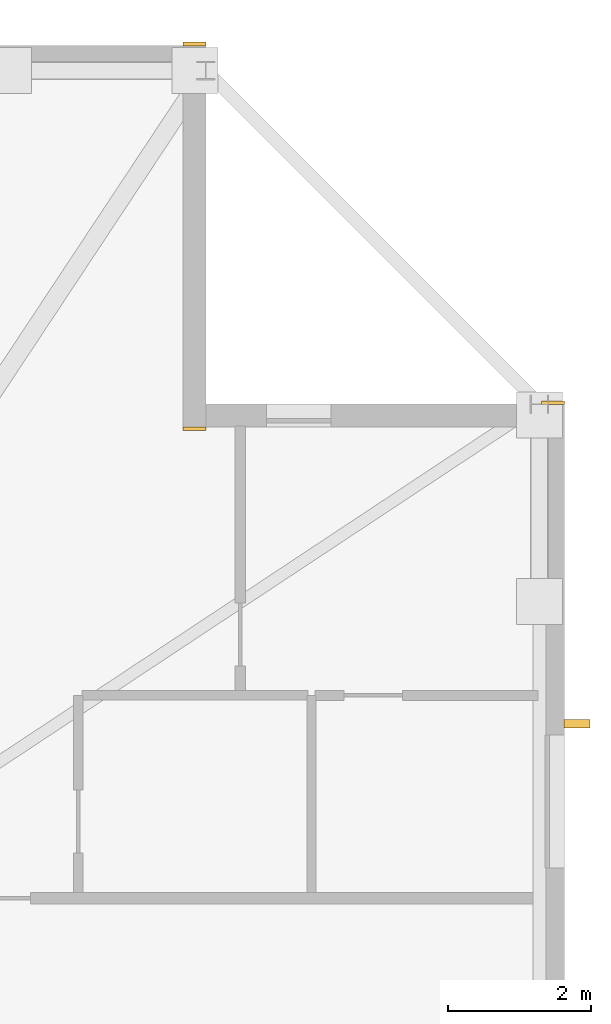
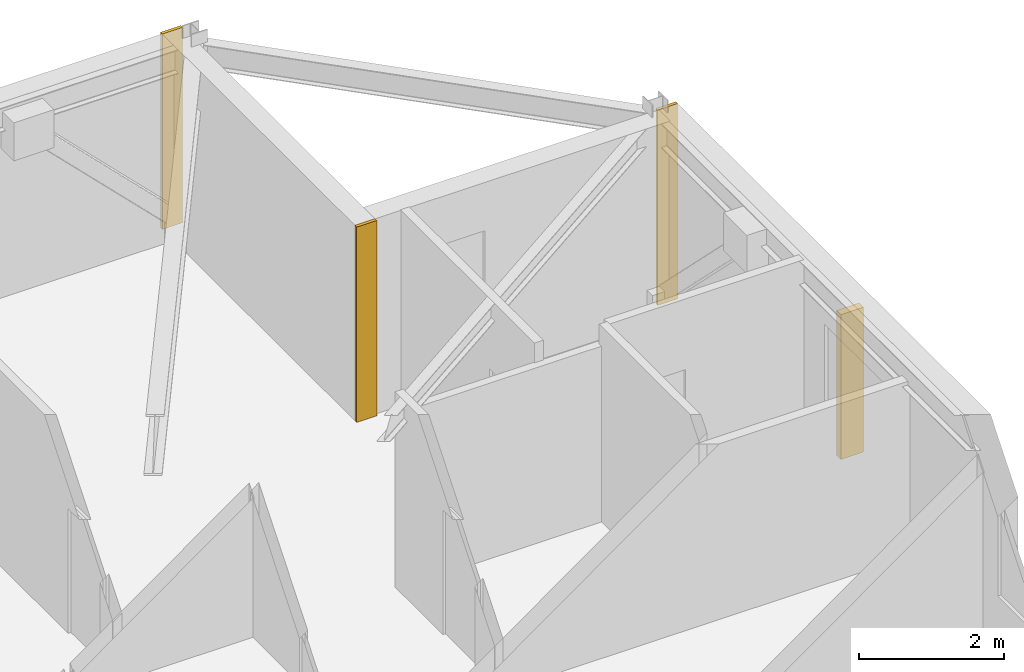
# One storey, part 17 of 17: 3 coverings, 1 shading device.
"""IFC4 building model written with IfcOpenShell, lengths in metres."""

from ifc_helpers import new_model, si_unit, direction, frame, frame_2d, origin, origin_2d, place, context, subcontext, project, spatial, rectangle, extrude, material, layer, layer_set, type_object, element, save


model = new_model("IFC4")

# Units and contexts
model_context = context("Model", 3, precision=1e-05, world=origin(), true_north=direction((0.0, 1.0)))
body_context = subcontext(model_context, "Body", "Model", "MODEL_VIEW")
ifc_project = project(units=[si_unit("LENGTHUNIT", "METRE"), si_unit("AREAUNIT", "SQUARE_METRE"), si_unit("VOLUMEUNIT", "CUBIC_METRE"), si_unit("PLANEANGLEUNIT", "RADIAN"), si_unit("MASSUNIT", "GRAM", prefix="KILO")], contexts=[model_context])

# Site, building, storey
site_placement = place(None, origin())
site = spatial("IfcSite", under=ifc_project, at=site_placement, CompositionType="ELEMENT")
building_placement = place(site_placement, origin())
building = spatial("IfcBuilding", under=site, at=building_placement, Name="Cairnveth Concourse Tower", CompositionType="ELEMENT")
storey_placement = place(building_placement, frame((0.0, 0.0, 230.5)))
storey = spatial("IfcBuildingStorey", under=building, at=storey_placement, Name="L63", CompositionType="ELEMENT", Elevation=230.5)

# Coverings
ifc_material_1 = material(Name="Dressed Melbourne Bluestone Cladding", Category="masonry")
ifc_layer = layer(ifc_material_1, 0.050048828125)
ifc_layer_set = layer_set([ifc_layer], Name="Dressed Melbourne Bluestone Cladding")
covering_type = type_object("IfcCoveringType", Name="DRESSED BLUESTONE PLINTH CLADDING 50", PredefinedType="CLADDING", material=ifc_layer_set)
for number, where, z_axis, x_axis, name in (
    (1, (69.179931640625, 61.52001953125, 0.0), (0.0, 0.0, 1.0), (1.0, 0.0, 0.0), "Melbourne Bluestone Corner Quoin L63-947"),
    (2, (69.179931640625, 56.159912109375, 0.0), (0.0, 0.0, 1.0), (1.0, 0.0, 0.0), "Melbourne Bluestone Corner Quoin L63-948"),
    (3, (74.179931640625, 56.52001953125, 0.0), (0.0, 0.0, 1.0), (1.0, 0.0, 0.0), "Melbourne Bluestone Corner Quoin L63-949"),
):
    element("IfcCovering", number, at=place(storey_placement, frame(where, z_axis=z_axis, x_axis=x_axis)), inside=storey, type_object=covering_type, Name=name, PredefinedType="CLADDING", context=body_context, shape_type="SweptSolid", body=[
        extrude(rectangle(XDim=0.320068359375, YDim=0.050048828125, at=frame_2d((0.16015625, 0.0))), origin(), (0.0, 0.0, 1.0), 3.2900390625),
    ])

# Shading device
ifc_material_2 = material(Name="Architectural Bronze Anodised Aluminium 6063-T6", Category="aluminium")
shading_device_type = type_object("IfcShadingDeviceType", Name="GOTHIC BRONZE VERTICAL LANCET FIN", PredefinedType="USERDEFINED", material=ifc_material_2)
shading_device_placement = place(storey_placement, frame((74.675048828125, 52.04736328125, 0.030029296875), z_axis=(0.0, 0.0, 1.0), x_axis=(0.0, 1.0, 0.0)))
element("IfcShadingDevice", 4, at=shading_device_placement, inside=storey, type_object=shading_device_type, Name="Gothic Bronze Vertical Fin L63-6-1", ObjectType="VERTICAL FIN", PredefinedType="USERDEFINED", context=body_context, shape_type="SweptSolid", body=[
    extrude(rectangle(XDim=0.1201171875, YDim=0.360107421875, at=origin_2d()), origin(), (0.0, 0.0, 1.0), 2.43798828125),
])

save(model, "model.ifc")
